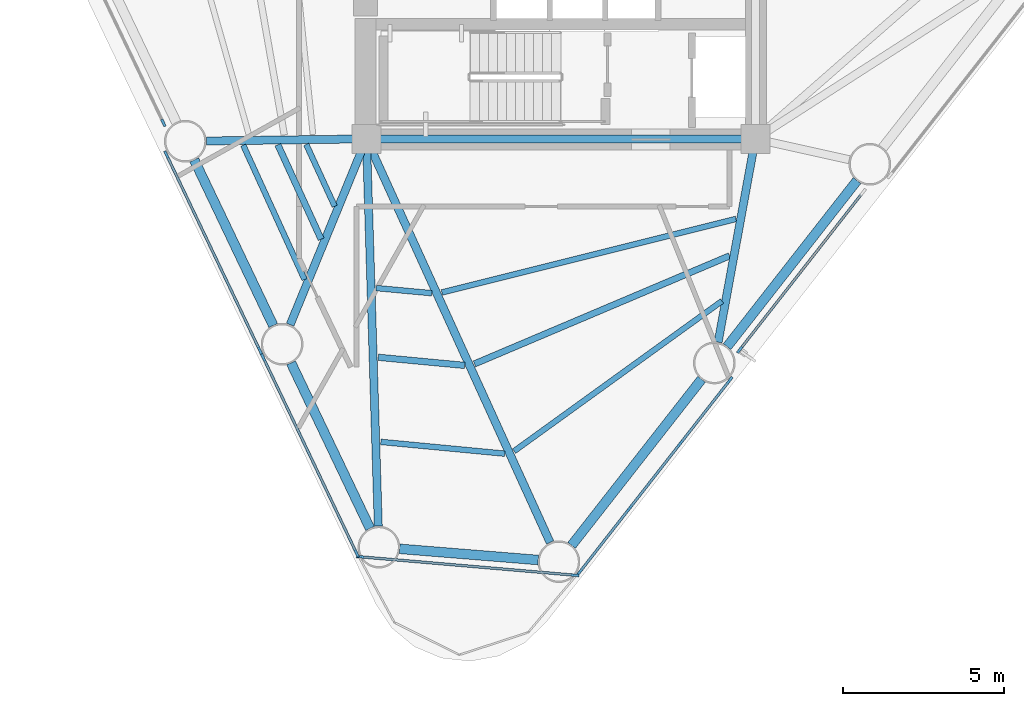
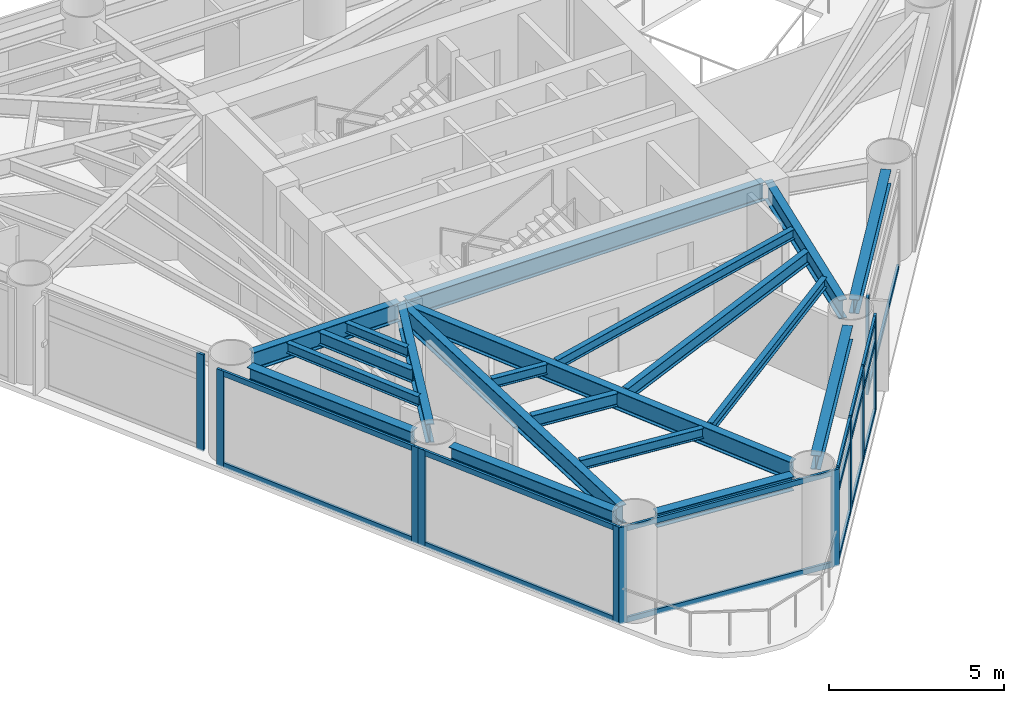
# One storey, part 2 of 10: 28 members, 20 beams, 6 elements without a shape of their own.
"""IFC4 building model written with IfcOpenShell, lengths in metres."""

import ifcopenshell
import ifcopenshell.guid

model = None  # the IFC model being written
_history = None  # IfcOwnerHistory: only IFC2X3 demands one
_inside = {}  # id of a spatial element -> (the spatial element, [elements in it])
_under = {}  # id of a project, library or spatial element -> (it, [spatial elements below it])
_declared = {}  # id of a project -> (the project, [libraries it declares])
_typed = {}  # id of a type object -> (the type object, [elements of that type])
_made_of = {}  # id of a material, layer set ... -> (it, [elements and type objects made of it])


def new_model(schema):
    """Start an empty IFC model of exactly this schema.

    Asked for "IFC4X3", IfcOpenShell would pick the latest addendum, in which some entities
    have other attributes; the version numbers below select the first issue.
    IFC2X3 requires an IfcOwnerHistory on every rooted entity: one is made here for all.
    """
    global model, _history
    if schema == "IFC4X3":
        model = ifcopenshell.file(schema_version=(4, 3, 0, 0))
    else:
        model = ifcopenshell.file(schema=schema)
    _inside.clear()
    _under.clear()
    _declared.clear()
    _typed.clear()
    _made_of.clear()
    _history = None
    if model.schema == "IFC2X3":
        org = make("IfcOrganization", Name="unknown")
        user = make(
            "IfcPersonAndOrganization",
            ThePerson=make("IfcPerson", FamilyName="unknown"),
            TheOrganization=org,
        )
        app = make(
            "IfcApplication",
            ApplicationDeveloper=org,
            Version="unknown",
            ApplicationFullName="unknown",
            ApplicationIdentifier="unknown",
        )
        _history = make(
            "IfcOwnerHistory",
            OwningUser=user,
            OwningApplication=app,
            ChangeAction="ADDED",
            CreationDate=0,
        )
    return model


def make(cls, **values):
    """One entity of the class cls with the attributes given. An attribute that is None is left unset."""
    return model.create_entity(
        cls, **{name: value for name, value in values.items() if value is not None}
    )


def rooted(cls, **values):
    """An entity with a GlobalId (a new one), such as an element, a storey or a relation."""
    return make(cls, GlobalId=ifcopenshell.guid.new(), OwnerHistory=_history, **values)


def si_unit(unit_type, name, prefix=None):
    """IfcSIUnit, for example si_unit("LENGTHUNIT", "METRE", prefix="MILLI")."""
    return make("IfcSIUnit", UnitType=unit_type, Prefix=prefix, Name=name)


def assignment(units):
    """IfcUnitAssignment: the units of a project."""
    return None if units is None else make("IfcUnitAssignment", Units=units)


def point(xyz):
    """IfcCartesianPoint."""
    return None if xyz is None else make("IfcCartesianPoint", Coordinates=xyz)


def direction(xyz):
    """IfcDirection."""
    return None if xyz is None else make("IfcDirection", DirectionRatios=xyz)


def frame(location, z_axis=None, x_axis=None):
    """IfcAxis2Placement3D, a coordinate frame: its origin and axes. An axis left out is left unset."""
    return make(
        "IfcAxis2Placement3D",
        Location=point(location),
        Axis=direction(z_axis),
        RefDirection=direction(x_axis),
    )


def frame_2d(location, x_axis=None):
    """IfcAxis2Placement2D, a coordinate frame in the plane: its origin and x axis."""
    return make(
        "IfcAxis2Placement2D", Location=point(location), RefDirection=direction(x_axis)
    )


def origin():
    """The frame at (0, 0, 0) with its axes left unset."""
    return frame((0.0, 0.0, 0.0))


def origin_2d():
    """The frame at (0, 0) in the plane with its x axis left unset."""
    return frame_2d((0.0, 0.0))


def place(relative_to, where):
    """IfcLocalPlacement: puts the frame where relative to a parent placement (None: the world)."""
    return make(
        "IfcLocalPlacement", PlacementRelTo=relative_to, RelativePlacement=where
    )


def context(
    kind, dimensions, precision=None, world=None, true_north=None, identifier=None
):
    """IfcGeometricRepresentationContext, for example the 3D "Model" context."""
    return make(
        "IfcGeometricRepresentationContext",
        ContextIdentifier=identifier,
        ContextType=kind,
        CoordinateSpaceDimension=dimensions,
        Precision=precision,
        WorldCoordinateSystem=world,
        TrueNorth=true_north,
    )


def subcontext(parent, identifier, kind, view, scale=None):
    """IfcGeometricRepresentationSubContext, for example "Body" below "Model"."""
    return make(
        "IfcGeometricRepresentationSubContext",
        ContextIdentifier=identifier,
        ContextType=kind,
        ParentContext=parent,
        TargetScale=scale,
        TargetView=view,
    )


def project(units=None, contexts=None):
    """IfcProject with its units and contexts."""
    return rooted(
        "IfcProject",
        Name="project",
        RepresentationContexts=contexts,
        UnitsInContext=assignment(units),
    )


def spatial(cls, under=None, at=None, **own):
    """A site, building, storey or space (cls), placed at a placement, below another one or the project."""
    s = rooted(cls, ObjectPlacement=at, **own)
    if under is not None:
        _under.setdefault(under.id(), (under, []))[1].append(s)
    return s


def profile(cls, at=None, kind="AREA", **sizes):
    """A parametric profile (cls). Its sizes go by their IFC names, for example OverallWidth=200.0."""
    return make(cls, ProfileType=kind, Position=at, **sizes)


def rectangle(**sizes):
    """IfcRectangleProfileDef."""
    return profile("IfcRectangleProfileDef", **sizes)


def i_section(**sizes):
    """IfcIShapeProfileDef."""
    return profile("IfcIShapeProfileDef", **sizes)


def extrude(swept, where, along, depth):
    """IfcExtrudedAreaSolid: the profile swept, set in the frame where, extruded along a direction by depth."""
    return make(
        "IfcExtrudedAreaSolid",
        SweptArea=swept,
        Position=where,
        ExtrudedDirection=direction(along),
        Depth=depth,
    )


def shape(context_of_items, identifier, shape_type, items):
    """IfcShapeRepresentation: the items that make up one representation, for example the "Body"."""
    return make(
        "IfcShapeRepresentation",
        ContextOfItems=context_of_items,
        RepresentationIdentifier=identifier,
        RepresentationType=shape_type,
        Items=items,
    )


def source(mapping_origin, context_of_items, identifier, shape_type, items):
    """IfcRepresentationMap: a shape defined once, which mapped items show again and again."""
    return make(
        "IfcRepresentationMap",
        MappingOrigin=mapping_origin,
        MappedRepresentation=shape(context_of_items, identifier, shape_type, items),
    )


def transform(
    local_origin,
    x_axis=None,
    y_axis=None,
    z_axis=None,
    scale=None,
    scale2=None,
    scale3=None,
    uniform=True,
):
    """IfcCartesianTransformationOperator3D, or its non-uniform kind. x_axis, y_axis, z_axis: its Axis1, 2, 3."""
    if uniform:
        return make(
            "IfcCartesianTransformationOperator3D",
            Axis1=direction(x_axis),
            Axis2=direction(y_axis),
            LocalOrigin=point(local_origin),
            Scale=scale,
            Axis3=direction(z_axis),
        )
    return make(
        "IfcCartesianTransformationOperator3DnonUniform",
        Axis1=direction(x_axis),
        Axis2=direction(y_axis),
        LocalOrigin=point(local_origin),
        Scale=scale,
        Axis3=direction(z_axis),
        Scale2=scale2,
        Scale3=scale3,
    )


def mapped(mapping_source, mapping_target):
    """IfcMappedItem: shows the shape of a source again, moved by a transform."""
    return make(
        "IfcMappedItem", MappingSource=mapping_source, MappingTarget=mapping_target
    )


def material(Name=None, Category=None):
    """IfcMaterial."""
    return make("IfcMaterial", Name=Name, Category=Category)


def layer(
    of_material, thickness, ventilated=None, Name=None, Category=None, Priority=None
):
    """IfcMaterialLayer: one layer of a wall or slab, of a material (None: an air gap)."""
    return make(
        "IfcMaterialLayer",
        Material=of_material,
        LayerThickness=thickness,
        IsVentilated=ventilated,
        Name=Name,
        Category=Category,
        Priority=Priority,
    )


def layer_set(layers, Name=None):
    """IfcMaterialLayerSet."""
    return make("IfcMaterialLayerSet", MaterialLayers=layers, LayerSetName=Name)


def material_profile(
    of_material, cross_section, Name=None, Category=None, Priority=None
):
    """IfcMaterialProfile: a cross section and its material."""
    return make(
        "IfcMaterialProfile",
        Name=Name,
        Material=of_material,
        Profile=cross_section,
        Priority=Priority,
        Category=Category,
    )


def profile_set(profiles, Name=None, composite=None):
    """IfcMaterialProfileSet."""
    return make(
        "IfcMaterialProfileSet",
        Name=Name,
        MaterialProfiles=profiles,
        CompositeProfile=composite,
    )


def made_of(thing, what):
    """Note that an element or type object is made of a material, layer set ...; save() writes the relation."""
    if what is not None:
        _made_of.setdefault(what.id(), (what, []))[1].append(thing)
    return thing


def type_object(cls, material=None, **own):
    """A type object (cls), such as IfcWallType, which elements share."""
    return made_of(rooted(cls, **own), material)


def element(
    cls,
    number,
    at=None,
    inside=None,
    cuts=None,
    type_object=None,
    material=None,
    context=None,
    identifier="Body",
    shape_type=None,
    held_by="IfcProductDefinitionShape",
    body=None,
    shapes=None,
    **own,
):
    """One element of the class cls, such as IfcWall. Its Tag is "e" and its number.

    at: its placement. inside: the storey or other place that contains it. cuts: it is an
    opening in that element (IfcRelVoidsElement). A single representation is given by context,
    identifier, shape_type and body (its items); several are given by shapes. held_by: the class
    of the entity that holds the representations. save() writes the other relations.
    """
    e = rooted(cls, Tag="e%d" % number, ObjectPlacement=at, **own)
    if body is not None:
        shapes = [shape(context, identifier, shape_type, body)]
    if shapes is not None:
        e.Representation = make(held_by, Representations=shapes)
    if inside is not None:
        _inside.setdefault(inside.id(), (inside, []))[1].append(e)
    if cuts is not None:
        rooted(
            "IfcRelVoidsElement", RelatingBuildingElement=cuts, RelatedOpeningElement=e
        )
    if type_object is not None:
        _typed.setdefault(type_object.id(), (type_object, []))[1].append(e)
    return made_of(e, material)


def aggregate(whole, parts):
    """IfcRelAggregates: a whole, such as a stair, and the parts it consists of."""
    return rooted("IfcRelAggregates", RelatingObject=whole, RelatedObjects=parts)


def save(model, path):
    """Write the relations noted so far, then the file.

    IfcRelAggregates (storeys below a building ...), IfcRelContainedInSpatialStructure (elements
    in a storey), IfcRelDefinesByType, IfcRelAssociatesMaterial and IfcRelDeclares: one each for
    every whole, place, type object, material and project.
    """
    for whole, parts in _under.values():
        aggregate(whole, parts)
    for where, things in _inside.values():
        rooted(
            "IfcRelContainedInSpatialStructure",
            RelatedElements=things,
            RelatingStructure=where,
        )
    for kind, things in _typed.values():
        rooted("IfcRelDefinesByType", RelatedObjects=things, RelatingType=kind)
    for what, things in _made_of.values():
        rooted("IfcRelAssociatesMaterial", RelatedObjects=things, RelatingMaterial=what)
    for by, libraries in _declared.values():
        rooted("IfcRelDeclares", RelatingContext=by, RelatedDefinitions=libraries)
    model.write(path)


model = new_model("IFC4")

# Units and contexts
model_context = context("Model", 3, precision=1e-05, world=origin(), true_north=direction((0.0, 1.0)))
body_context = subcontext(model_context, "Body", "Model", "MODEL_VIEW")
ifc_project = project(units=[si_unit("LENGTHUNIT", "METRE"), si_unit("AREAUNIT", "SQUARE_METRE"), si_unit("VOLUMEUNIT", "CUBIC_METRE"), si_unit("PLANEANGLEUNIT", "RADIAN"), si_unit("MASSUNIT", "GRAM", prefix="KILO")], contexts=[model_context])

# Site, building, storey
site_placement = place(None, origin())
site = spatial("IfcSite", under=ifc_project, at=site_placement, CompositionType="ELEMENT")
building_placement = place(site_placement, origin())
building = spatial("IfcBuilding", under=site, at=building_placement, Name="Yunling Apex Tower", CompositionType="ELEMENT")
storey_placement = place(building_placement, frame((0.0, 0.0, 143.300048828125)))
storey = spatial("IfcBuildingStorey", under=building, at=storey_placement, Name="L35", CompositionType="ELEMENT", Elevation=143.300048828125)

# Beams
ifc_material_1 = material(Name="Steel Q355B", Category="steel")
ifc_material_profile_1 = material_profile(ifc_material_1, i_section(OverallWidth=0.25, OverallDepth=0.64990234375, WebThickness=0.011962890625, FlangeThickness=0.02001953125, FilletRadius=0.02392578125, at=origin_2d()))
ifc_profile_set_1 = profile_set([ifc_material_profile_1], Name="Steel Q355B")
beam_type_1 = type_object("IfcBeamType", Name="BG-PRI-4", PredefinedType="USERDEFINED", material=ifc_profile_set_1)
shared_shape_1 = source(origin(), body_context, "Body", "SweptSolid", [
    extrude(i_section(OverallWidth=0.25, OverallDepth=0.64990234375, WebThickness=0.011962890625, FlangeThickness=0.02001953125, FilletRadius=0.02392578125, at=origin_2d()), origin(), (0.0, 0.0, 1.0), 11.7998046875),
])
beam_1_placement = place(storey_placement, frame((-5.89990234375, -5.5, 2.945068359375), z_axis=(1.0, 0.0, 0.0), x_axis=(0.0, 1.0, 0.0)))
element("IfcBeam", 1, at=beam_1_placement, inside=storey, type_object=beam_type_1, Name="L35 Core Ring Tie Beam 1", ObjectType="GIRDER", PredefinedType="USERDEFINED", context=body_context, shape_type="MappedRepresentation", body=[
    mapped(shared_shape_1, transform((0.0, 0.0, 0.0), scale=1.0)),
])
ifc_material_profile_2 = material_profile(ifc_material_1, i_section(OverallWidth=0.300048828125, OverallDepth=0.489990234375, WebThickness=0.010986328125, FlangeThickness=0.01806640625, FilletRadius=0.02197265625, at=origin_2d()))
ifc_profile_set_2 = profile_set([ifc_material_profile_2], Name="Steel Q355B")
beam_type_2 = type_object("IfcBeamType", Name="BP-SPN-2", PredefinedType="SPANDREL", material=ifc_profile_set_2)
shared_shape_2 = source(origin(), body_context, "Body", "SweptSolid", [
    extrude(i_section(OverallWidth=0.300048828125, OverallDepth=0.489990234375, WebThickness=0.010986328125, FlangeThickness=0.01806640625, FilletRadius=0.02197265625, at=origin_2d()), origin(), (0.0, 0.0, 1.0), 6.562255859375),
])
for number, where, z_axis, x_axis, name in (
    (2, (0.332763671875, -18.147216796875, 3.02490234375), (0.616214963059, 0.787578008392, 0.0), (-0.787578008392, 0.616214963059, 0.0), "L35 Perimeter Spandrel Beam 1"),
    (3, (5.170166015625, -11.964599609375, 3.02490234375), (0.616214963059, 0.787578008392, 0.0), (-0.787578008392, 0.616214963059, 0.0), "L35 Perimeter Spandrel Beam 2"),
):
    element("IfcBeam", number, at=place(storey_placement, frame(where, z_axis=z_axis, x_axis=x_axis)), inside=storey, type_object=beam_type_2, Name=name, PredefinedType="SPANDREL", context=body_context, shape_type="MappedRepresentation", body=[
        mapped(shared_shape_2, transform((0.0, 0.0, 0.0), scale=1.0)),
    ])
shared_shape_3 = source(origin(), body_context, "Body", "SweptSolid", [
    extrude(i_section(OverallWidth=0.300048828125, OverallDepth=0.489990234375, WebThickness=0.010986328125, FlangeThickness=0.01806640625, FilletRadius=0.02197265625, at=origin_2d()), origin(), (0.0, 0.0, 1.0), 5.707763671875),
])
for number, where, z_axis, x_axis, name in (
    (4, (-11.407958984375, -6.15478515625, 3.02490234375), (0.430522919645, -0.902579645051, 0.0), (0.902579645051, 0.430522919645, 0.0), "L35 Perimeter Spandrel Beam 13"),
    (5, (-8.396240234375, -12.468994140625, 3.02490234375), (0.430522919645, -0.902579645051, 0.0), (0.902579645051, 0.430522919645, 0.0), "L35 Perimeter Spandrel Beam 14"),
):
    element("IfcBeam", number, at=place(storey_placement, frame(where, z_axis=z_axis, x_axis=x_axis)), inside=storey, type_object=beam_type_2, Name=name, PredefinedType="SPANDREL", context=body_context, shape_type="MappedRepresentation", body=[
        mapped(shared_shape_3, transform((0.0, 0.0, 0.0), scale=1.0)),
    ])
shared_shape_4 = source(origin(), body_context, "Body", "SweptSolid", [
    extrude(i_section(OverallWidth=0.300048828125, OverallDepth=0.489990234375, WebThickness=0.010986328125, FlangeThickness=0.01806640625, FilletRadius=0.02197265625, at=origin_2d()), origin(), (0.0, 0.0, 1.0), 4.328369140625),
])
beam_2_placement = place(storey_placement, frame((-5.02001953125, -18.25390625, 3.02490234375), z_axis=(0.996750747621, -0.08054779399, 0.0), x_axis=(0.08054779399, 0.996750747621, 0.0)))
element("IfcBeam", 6, at=beam_2_placement, inside=storey, type_object=beam_type_2, Name="L35 Perimeter Spandrel Beam 15", PredefinedType="SPANDREL", context=body_context, shape_type="MappedRepresentation", body=[
    mapped(shared_shape_4, transform((0.0, 0.0, 0.0), scale=1.0)),
])
shared_shape_5 = source(origin(), body_context, "Body", "SweptSolid", [
    extrude(i_section(OverallWidth=0.25, OverallDepth=0.64990234375, WebThickness=0.011962890625, FlangeThickness=0.02001953125, FilletRadius=0.02392578125, at=origin_2d()), origin(), (0.0, 0.0, 1.0), 13.714599609375),
])
beam_3_placement = place(storey_placement, frame((-0.33642578125, -18.0556640625, 2.945068359375), z_axis=(-0.414187834577, 0.910191429145, 0.0), x_axis=(-0.910191429145, -0.414187834577, 0.0)))
element("IfcBeam", 7, at=beam_3_placement, inside=storey, type_object=beam_type_1, Name="L35 Radial Primary Girder R01", ObjectType="GIRDER", PredefinedType="USERDEFINED", context=body_context, shape_type="MappedRepresentation", body=[
    mapped(shared_shape_5, transform((0.0, 0.0, 0.0), scale=1.0)),
])
shared_shape_6 = source(origin(), body_context, "Body", "SweptSolid", [
    extrude(i_section(OverallWidth=0.25, OverallDepth=0.64990234375, WebThickness=0.011962890625, FlangeThickness=0.02001953125, FilletRadius=0.02392578125, at=origin_2d()), origin(), (0.0, 0.0, 1.0), 6.349853515625),
])
beam_4_placement = place(storey_placement, frame((4.891845703125, -11.82470703125, 2.945068359375), z_axis=(0.18012699938, 0.983643362248, 0.0), x_axis=(-0.983643362248, 0.18012699938, 0.0)))
element("IfcBeam", 8, at=beam_4_placement, inside=storey, type_object=beam_type_1, Name="L35 Radial Primary Girder R02", ObjectType="GIRDER", PredefinedType="USERDEFINED", context=body_context, shape_type="MappedRepresentation", body=[
    mapped(shared_shape_6, transform((0.0, 0.0, 0.0), scale=1.0)),
])
shared_shape_7 = source(origin(), body_context, "Body", "SweptSolid", [
    extrude(i_section(OverallWidth=0.25, OverallDepth=0.64990234375, WebThickness=0.011962890625, FlangeThickness=0.02001953125, FilletRadius=0.02392578125, at=origin_2d()), origin(), (0.0, 0.0, 1.0), 4.89794921875),
])
beam_5_placement = place(storey_placement, frame((-11.02734375, -5.56494140625, 2.945068359375), z_axis=(0.999914718433, 0.0130597037, 0.0), x_axis=(-0.0130597037, 0.999914718433, 0.0)))
element("IfcBeam", 9, at=beam_5_placement, inside=storey, type_object=beam_type_1, Name="L35 Radial Primary Girder R13", ObjectType="GIRDER", PredefinedType="USERDEFINED", context=body_context, shape_type="MappedRepresentation", body=[
    mapped(shared_shape_7, transform((0.0, 0.0, 0.0), scale=1.0)),
])
shared_shape_8 = source(origin(), body_context, "Body", "SweptSolid", [
    extrude(i_section(OverallWidth=0.25, OverallDepth=0.64990234375, WebThickness=0.011962890625, FlangeThickness=0.02001953125, FilletRadius=0.02392578125, at=origin_2d()), origin(), (0.0, 0.0, 1.0), 6.16748046875),
])
beam_6_placement = place(storey_placement, frame((-8.423583984375, -11.279052734375, 2.945068359375), z_axis=(0.379933370098, 0.925013856267, 0.0), x_axis=(-0.925013856267, 0.379933370098, 0.0)))
element("IfcBeam", 10, at=beam_6_placement, inside=storey, type_object=beam_type_1, Name="L35 Radial Primary Girder R14", ObjectType="GIRDER", PredefinedType="USERDEFINED", context=body_context, shape_type="MappedRepresentation", body=[
    mapped(shared_shape_8, transform((0.0, 0.0, 0.0), scale=1.0)),
])
shared_shape_9 = source(origin(), body_context, "Body", "SweptSolid", [
    extrude(i_section(OverallWidth=0.25, OverallDepth=0.64990234375, WebThickness=0.011962890625, FlangeThickness=0.02001953125, FilletRadius=0.02392578125, at=origin_2d()), origin(), (0.0, 0.0, 1.0), 11.9697265625),
])
beam_7_placement = place(storey_placement, frame((-5.681884765625, -17.544189453125, 2.945068359375), z_axis=(-0.030554037514, 0.999533116406, 0.0), x_axis=(-0.999533116406, -0.030554037514, 0.0)))
element("IfcBeam", 11, at=beam_7_placement, inside=storey, type_object=beam_type_1, Name="L35 Radial Primary Girder R15", ObjectType="GIRDER", PredefinedType="USERDEFINED", context=body_context, shape_type="MappedRepresentation", body=[
    mapped(shared_shape_9, transform((0.0, 0.0, 0.0), scale=1.0)),
])
ifc_material_profile_3 = material_profile(ifc_material_1, i_section(OverallWidth=0.199951171875, OverallDepth=0.449951171875, WebThickness=0.009033203125, FlangeThickness=0.013916015625, FilletRadius=0.01806640625, at=origin_2d()))
ifc_profile_set_3 = profile_set([ifc_material_profile_3], Name="Steel Q355B")
beam_type_3 = type_object("IfcBeamType", Name="BS-SEC-3", PredefinedType="BEAM", material=ifc_profile_set_3)
shared_shape_10 = source(origin(), body_context, "Body", "SweptSolid", [
    extrude(i_section(OverallWidth=0.199951171875, OverallDepth=0.449951171875, WebThickness=0.009033203125, FlangeThickness=0.013916015625, FilletRadius=0.01806640625, at=origin_2d()), origin(), (0.0, 0.0, 1.0), 8.618896484375),
])
beam_8_placement = place(storey_placement, frame((-2.6884765625, -12.500732421875, 3.044921875), z_axis=(0.920793969751, 0.390049311332, 0.0), x_axis=(-0.390049311332, 0.920793969751, 0.0)))
element("IfcBeam", 12, at=beam_8_placement, inside=storey, type_object=beam_type_3, Name="L35 Composite Floor Beam BS-1", PredefinedType="BEAM", context=body_context, shape_type="MappedRepresentation", body=[
    mapped(shared_shape_10, transform((0.0, 0.0, 0.0), scale=1.0)),
])
ifc_material_profile_4 = material_profile(ifc_material_1, i_section(OverallWidth=0.175048828125, OverallDepth=0.35009765625, WebThickness=0.007080078125, FlangeThickness=0.010986328125, FilletRadius=0.013916015625, at=origin_2d()))
ifc_profile_set_4 = profile_set([ifc_material_profile_4], Name="Steel Q355B")
beam_type_4 = type_object("IfcBeamType", Name="BJ-JST-1", PredefinedType="JOIST", material=ifc_profile_set_4)
shared_shape_11 = source(origin(), body_context, "Body", "SweptSolid", [
    extrude(i_section(OverallWidth=0.175048828125, OverallDepth=0.35009765625, WebThickness=0.007080078125, FlangeThickness=0.010986328125, FilletRadius=0.013916015625, at=origin_2d()), origin(), (0.0, 0.0, 1.0), 7.98046875),
])
beam_9_placement = place(storey_placement, frame((-1.45654296875, -15.2158203125, 3.094970703125), z_axis=(0.81075666384, 0.585383320602, 0.0), x_axis=(-0.585383320602, 0.81075666384, 0.0)))
element("IfcBeam", 13, at=beam_9_placement, inside=storey, type_object=beam_type_4, Name="L35 Composite Floor Joist BJ1-1", PredefinedType="JOIST", context=body_context, shape_type="MappedRepresentation", body=[
    mapped(shared_shape_11, transform((0.0, 0.0, 0.0), scale=1.0)),
])
shared_shape_12 = source(origin(), body_context, "Body", "SweptSolid", [
    extrude(i_section(OverallWidth=0.175048828125, OverallDepth=0.35009765625, WebThickness=0.007080078125, FlangeThickness=0.010986328125, FilletRadius=0.013916015625, at=origin_2d()), origin(), (0.0, 0.0, 1.0), 9.430419921875),
])
beam_10_placement = place(storey_placement, frame((-3.703125, -10.277587890625, 3.094970703125), z_axis=(0.970157726952, 0.242474709682, 0.0), x_axis=(-0.242474709682, 0.970157726952, 0.0)))
element("IfcBeam", 14, at=beam_10_placement, inside=storey, type_object=beam_type_4, Name="L35 Composite Floor Joist BJ3-1", PredefinedType="JOIST", context=body_context, shape_type="MappedRepresentation", body=[
    mapped(shared_shape_12, transform((0.0, 0.0, 0.0), scale=1.0)),
])
shared_shape_13 = source(origin(), body_context, "Body", "SweptSolid", [
    extrude(i_section(OverallWidth=0.199951171875, OverallDepth=0.449951171875, WebThickness=0.009033203125, FlangeThickness=0.013916015625, FilletRadius=0.01806640625, at=origin_2d()), origin(), (0.0, 0.0, 1.0), 3.234619140625),
])
beam_11_placement = place(storey_placement, frame((-8.805908203125, -5.682373046875, 3.044921875), z_axis=(0.416337611841, -0.909210092864, 0.0), x_axis=(0.909210092864, 0.416337611841, 0.0)))
element("IfcBeam", 15, at=beam_11_placement, inside=storey, type_object=beam_type_3, Name="L35 Composite Floor Beam BS-13", PredefinedType="BEAM", context=body_context, shape_type="MappedRepresentation", body=[
    mapped(shared_shape_13, transform((0.0, 0.0, 0.0), scale=1.0)),
])
shared_shape_14 = source(origin(), body_context, "Body", "SweptSolid", [
    extrude(i_section(OverallWidth=0.175048828125, OverallDepth=0.35009765625, WebThickness=0.007080078125, FlangeThickness=0.010986328125, FilletRadius=0.013916015625, at=origin_2d()), origin(), (0.0, 0.0, 1.0), 4.596923828125),
])
beam_12_placement = place(storey_placement, frame((-9.883544921875, -5.696533203125, 3.094970703125), z_axis=(0.415258909569, -0.909703269217, 0.0), x_axis=(0.909703269217, 0.415258909569, 0.0)))
element("IfcBeam", 16, at=beam_12_placement, inside=storey, type_object=beam_type_4, Name="L35 Composite Floor Joist BJ1-13", PredefinedType="JOIST", context=body_context, shape_type="MappedRepresentation", body=[
    mapped(shared_shape_14, transform((0.0, 0.0, 0.0), scale=1.0)),
])
shared_shape_15 = source(origin(), body_context, "Body", "SweptSolid", [
    extrude(i_section(OverallWidth=0.175048828125, OverallDepth=0.35009765625, WebThickness=0.007080078125, FlangeThickness=0.010986328125, FilletRadius=0.013916015625, at=origin_2d()), origin(), (0.0, 0.0, 1.0), 2.1201171875),
])
beam_13_placement = place(storey_placement, frame((-7.924072265625, -5.670654296875, 3.094970703125), z_axis=(0.418101376265, -0.908400373825, 0.0), x_axis=(0.908400373825, 0.418101376265, 0.0)))
element("IfcBeam", 17, at=beam_13_placement, inside=storey, type_object=beam_type_4, Name="L35 Composite Floor Joist BJ3-13", PredefinedType="JOIST", context=body_context, shape_type="MappedRepresentation", body=[
    mapped(shared_shape_15, transform((0.0, 0.0, 0.0), scale=1.0)),
])
shared_shape_16 = source(origin(), body_context, "Body", "SweptSolid", [
    extrude(i_section(OverallWidth=0.199951171875, OverallDepth=0.449951171875, WebThickness=0.009033203125, FlangeThickness=0.013916015625, FilletRadius=0.01806640625, at=origin_2d()), origin(), (0.0, 0.0, 1.0), 2.700439453125),
])
beam_14_placement = place(storey_placement, frame((-5.68359375, -12.294921875, 3.044921875), z_axis=(0.995595280091, -0.09375520391, 0.0), x_axis=(0.09375520391, 0.995595280091, 0.0)))
element("IfcBeam", 18, at=beam_14_placement, inside=storey, type_object=beam_type_3, Name="L35 Composite Floor Beam BS-15", PredefinedType="BEAM", context=body_context, shape_type="MappedRepresentation", body=[
    mapped(shared_shape_16, transform((0.0, 0.0, 0.0), scale=1.0)),
])
shared_shape_17 = source(origin(), body_context, "Body", "SweptSolid", [
    extrude(i_section(OverallWidth=0.175048828125, OverallDepth=0.35009765625, WebThickness=0.007080078125, FlangeThickness=0.010986328125, FilletRadius=0.013916015625, at=origin_2d()), origin(), (0.0, 0.0, 1.0), 3.874755859375),
])
beam_15_placement = place(storey_placement, frame((-5.60302734375, -14.92724609375, 3.094970703125), z_axis=(0.995505944035, -0.094699078094, 0.0), x_axis=(0.094699078094, 0.995505944035, 0.0)))
element("IfcBeam", 19, at=beam_15_placement, inside=storey, type_object=beam_type_4, Name="L35 Composite Floor Joist BJ1-15", PredefinedType="JOIST", context=body_context, shape_type="MappedRepresentation", body=[
    mapped(shared_shape_17, transform((0.0, 0.0, 0.0), scale=1.0)),
])
shared_shape_18 = source(origin(), body_context, "Body", "SweptSolid", [
    extrude(i_section(OverallWidth=0.175048828125, OverallDepth=0.35009765625, WebThickness=0.007080078125, FlangeThickness=0.010986328125, FilletRadius=0.013916015625, at=origin_2d()), origin(), (0.0, 0.0, 1.0), 1.739013671875),
])
beam_16_placement = place(storey_placement, frame((-5.749267578125, -10.14111328125, 3.094970703125), z_axis=(0.995737570839, -0.092231719166, 0.0), x_axis=(0.092231719166, 0.995737570839, 0.0)))
element("IfcBeam", 20, at=beam_16_placement, inside=storey, type_object=beam_type_4, Name="L35 Composite Floor Joist BJ3-15", PredefinedType="JOIST", context=body_context, shape_type="MappedRepresentation", body=[
    mapped(shared_shape_18, transform((0.0, 0.0, 0.0), scale=1.0)),
])

# Curtain wall, members
ifc_material_2 = material(Name="Bronze anodised aluminium", Category="aluminium")
ifc_layer = layer(ifc_material_2, 0.239990234375)
ifc_layer_set = layer_set([ifc_layer], Name="Bronze anodised aluminium")
curtain_wall_type = type_object("IfcCurtainWallType", Name="CW-SYS-3", PredefinedType="NOTDEFINED", material=ifc_layer_set)
curtain_wall_1_placement = place(storey_placement, origin())
curtain_wall_1 = element("IfcCurtainWall", 21, at=curtain_wall_1_placement, inside=storey, type_object=curtain_wall_type, Name="CW-L35-F1-B1", PredefinedType="NOTDEFINED")
ifc_material_profile_5 = material_profile(ifc_material_2, rectangle(XDim=0.080078125, YDim=0.239990234375, at=origin_2d()))
ifc_profile_set_5 = profile_set([ifc_material_profile_5], Name="Bronze anodised aluminium")
member_type_1 = type_object("IfcMemberType", Name="CW-MUL-3", PredefinedType="MULLION", material=ifc_profile_set_5)
shared_shape_19 = source(origin(), body_context, "Body", "SweptSolid", [
    extrude(rectangle(XDim=0.080078125, YDim=0.239990234375, at=origin_2d()), origin(), (0.0, 0.0, 1.0), 3.3701171875),
])
member_1_placement = place(storey_placement, frame((0.569091796875, -18.99755859375, -0.050048828125), z_axis=(0.0, 0.0, 1.0), x_axis=(-0.787583748686, 0.616207626377, 0.0)))
member_1 = element("IfcMember", 22, at=member_1_placement, type_object=member_type_1, Name="CW-SYS-3 mullion 1", PredefinedType="MULLION", context=body_context, shape_type="MappedRepresentation", body=[
    mapped(shared_shape_19, transform((0.0, 0.0, 0.0), scale=1.0)),
])
member_2_placement = place(storey_placement, frame((2.1240234375, -17.01025390625, -0.050048828125), z_axis=(0.0, 0.0, 1.0), x_axis=(-0.787583748686, 0.616207626377, 0.0)))
member_2 = element("IfcMember", 23, at=member_2_placement, type_object=member_type_1, Name="CW-SYS-3 mullion 2", PredefinedType="MULLION", context=body_context, shape_type="MappedRepresentation", body=[
    mapped(shared_shape_19, transform((0.0, 0.0, 0.0), scale=1.0)),
])
member_3_placement = place(storey_placement, frame((3.70361328125, -14.9912109375, -0.050048828125), z_axis=(0.0, 0.0, 1.0), x_axis=(-0.787583748686, 0.616207626377, 0.0)))
member_3 = element("IfcMember", 24, at=member_3_placement, type_object=member_type_1, Name="CW-SYS-3 mullion 3", PredefinedType="MULLION", context=body_context, shape_type="MappedRepresentation", body=[
    mapped(shared_shape_19, transform((0.0, 0.0, 0.0), scale=1.0)),
])
member_4_placement = place(storey_placement, frame((5.258544921875, -13.00390625, -0.050048828125), z_axis=(0.0, 0.0, 1.0), x_axis=(-0.787583748686, 0.616207626377, 0.0)))
member_4 = element("IfcMember", 25, at=member_4_placement, type_object=member_type_1, Name="CW-SYS-3 mullion 4", PredefinedType="MULLION", context=body_context, shape_type="MappedRepresentation", body=[
    mapped(shared_shape_19, transform((0.0, 0.0, 0.0), scale=1.0)),
])

# Curtain wall, member
curtain_wall_2_placement = place(storey_placement, origin())
curtain_wall_2 = element("IfcCurtainWall", 26, at=curtain_wall_2_placement, inside=storey, type_object=curtain_wall_type, Name="CW-L35-F1-B2", PredefinedType="NOTDEFINED")
member_5_placement = place(storey_placement, frame((5.56396484375, -12.06201171875, -0.050048828125), z_axis=(0.0, 0.0, 1.0), x_axis=(-0.787590269126, 0.616199292419, 0.0)))
member_5 = element("IfcMember", 27, at=member_5_placement, type_object=member_type_1, Name="CW-SYS-3 mullion 1", PredefinedType="MULLION", context=body_context, shape_type="MappedRepresentation", body=[
    mapped(shared_shape_19, transform((0.0, 0.0, 0.0), scale=1.0)),
])

curtain_wall_3_placement = place(storey_placement, origin())
curtain_wall_3 = element("IfcCurtainWall", 28, at=curtain_wall_3_placement, inside=storey, type_object=curtain_wall_type, Name="CW-L35-F3-B2", PredefinedType="NOTDEFINED")
member_6_placement = place(storey_placement, frame((-12.36767578125, -5.001708984375, -0.050048828125), z_axis=(0.0, 0.0, 1.0), x_axis=(0.902579794247, 0.430522606859, 0.0)))
member_6 = element("IfcMember", 29, at=member_6_placement, type_object=member_type_1, Name="CW-SYS-3 mullion 2", PredefinedType="MULLION", context=body_context, shape_type="MappedRepresentation", body=[
    mapped(shared_shape_19, transform((0.0, 0.0, 0.0), scale=1.0)),
])
aggregate(curtain_wall_3, [member_6])

# Curtain wall, members
curtain_wall_4_placement = place(storey_placement, origin())
curtain_wall_4 = element("IfcCurtainWall", 30, at=curtain_wall_4_placement, inside=storey, type_object=curtain_wall_type, Name="CW-L35-F3-B3", PredefinedType="NOTDEFINED")
member_7_placement = place(storey_placement, frame((-12.274169921875, -5.987548828125, -0.050048828125), z_axis=(0.0, 0.0, 1.0), x_axis=(0.902593449526, 0.430493977743, 0.0)))
member_7 = element("IfcMember", 31, at=member_7_placement, type_object=member_type_1, Name="CW-SYS-3 mullion 1", PredefinedType="MULLION", context=body_context, shape_type="MappedRepresentation", body=[
    mapped(shared_shape_19, transform((0.0, 0.0, 0.0), scale=1.0)),
])
member_8_placement = place(storey_placement, frame((-9.365966796875, -12.085205078125, -0.050048828125), z_axis=(0.0, 0.0, 1.0), x_axis=(0.902593449526, 0.430493977743, 0.0)))
member_8 = element("IfcMember", 32, at=member_8_placement, type_object=member_type_1, Name="CW-SYS-3 mullion 2", PredefinedType="MULLION", context=body_context, shape_type="MappedRepresentation", body=[
    mapped(shared_shape_19, transform((0.0, 0.0, 0.0), scale=1.0)),
])

curtain_wall_5_placement = place(storey_placement, origin())
curtain_wall_5 = element("IfcCurtainWall", 33, at=curtain_wall_5_placement, inside=storey, type_object=curtain_wall_type, Name="CW-L35-F3-B4", PredefinedType="NOTDEFINED")
member_9_placement = place(storey_placement, frame((-9.2626953125, -12.3017578125, -0.050048828125), z_axis=(0.0, 0.0, 1.0), x_axis=(0.902585053788, 0.430511580192, 0.0)))
member_9 = element("IfcMember", 34, at=member_9_placement, type_object=member_type_1, Name="CW-SYS-3 mullion 1", PredefinedType="MULLION", context=body_context, shape_type="MappedRepresentation", body=[
    mapped(shared_shape_19, transform((0.0, 0.0, 0.0), scale=1.0)),
])
member_10_placement = place(storey_placement, frame((-6.354248046875, -18.399169921875, -0.050048828125), z_axis=(0.0, 0.0, 1.0), x_axis=(0.902585053788, 0.430511580192, 0.0)))
member_10 = element("IfcMember", 35, at=member_10_placement, type_object=member_type_1, Name="CW-SYS-3 mullion 2", PredefinedType="MULLION", context=body_context, shape_type="MappedRepresentation", body=[
    mapped(shared_shape_19, transform((0.0, 0.0, 0.0), scale=1.0)),
])

curtain_wall_6_placement = place(storey_placement, origin())
curtain_wall_6 = element("IfcCurtainWall", 36, at=curtain_wall_6_placement, inside=storey, type_object=curtain_wall_type, Name="CW-L35-CRN3", PredefinedType="NOTDEFINED")
member_11_placement = place(storey_placement, frame((-6.24462890625, -18.50244140625, -0.050048828125), z_axis=(0.0, 0.0, 1.0), x_axis=(0.085550287883, 0.996333853808, 0.0)))
member_11 = element("IfcMember", 37, at=member_11_placement, type_object=member_type_1, Name="CW-SYS-3 mullion 1", PredefinedType="MULLION", context=body_context, shape_type="MappedRepresentation", body=[
    mapped(shared_shape_19, transform((0.0, 0.0, 0.0), scale=1.0)),
])
member_12_placement = place(storey_placement, frame((0.439697265625, -19.076171875, -0.050048828125), z_axis=(0.0, 0.0, 1.0), x_axis=(0.085550287883, 0.996333853808, 0.0)))
member_12 = element("IfcMember", 38, at=member_12_placement, type_object=member_type_1, Name="CW-SYS-3 mullion 2", PredefinedType="MULLION", context=body_context, shape_type="MappedRepresentation", body=[
    mapped(shared_shape_19, transform((0.0, 0.0, 0.0), scale=1.0)),
])

# Member
ifc_material_profile_6 = material_profile(ifc_material_2, rectangle(XDim=0.080078125, YDim=0.18505859375, at=origin_2d()))
ifc_profile_set_6 = profile_set([ifc_material_profile_6], Name="Bronze anodised aluminium")
member_type_2 = type_object("IfcMemberType", Name="CW-TRN-3", PredefinedType="USERDEFINED", material=ifc_profile_set_6)
shared_shape_20 = source(origin(), body_context, "Body", "SweptSolid", [
    extrude(rectangle(XDim=0.080078125, YDim=0.18505859375, at=origin_2d()), origin(), (0.0, 0.0, 1.0), 2.451416015625),
])
member_13_placement = place(storey_placement, frame((0.59130859375, -18.96923828125, 0.0400390625), z_axis=(0.616192781155, 0.787595363402, 0.0), x_axis=(-0.787595363402, 0.616192781155, 0.0)))
member_13 = element("IfcMember", 39, at=member_13_placement, type_object=member_type_2, Name="CW-SYS-3 transom 1.1", ObjectType="TRANSOM", PredefinedType="USERDEFINED", context=body_context, shape_type="MappedRepresentation", body=[
    mapped(shared_shape_20, transform((0.0, 0.0, 0.0), scale=1.0)),
])

member_14_placement = place(storey_placement, frame((0.59130859375, -18.96923828125, 2.485107421875), z_axis=(0.616192781155, 0.787595363402, 0.0), x_axis=(-0.787595363402, 0.616192781155, 0.0)))
member_14 = element("IfcMember", 40, at=member_14_placement, type_object=member_type_2, Name="CW-SYS-3 transom 1.2", ObjectType="TRANSOM", PredefinedType="USERDEFINED", context=body_context, shape_type="MappedRepresentation", body=[
    mapped(shared_shape_20, transform((0.0, 0.0, 0.0), scale=1.0)),
])

member_15_placement = place(storey_placement, frame((0.59130859375, -18.96923828125, 3.22998046875), z_axis=(0.616192781155, 0.787595363402, 0.0), x_axis=(-0.787595363402, 0.616192781155, 0.0)))
member_15 = element("IfcMember", 41, at=member_15_placement, type_object=member_type_2, Name="CW-SYS-3 transom 1.3", ObjectType="TRANSOM", PredefinedType="USERDEFINED", context=body_context, shape_type="MappedRepresentation", body=[
    mapped(shared_shape_20, transform((0.0, 0.0, 0.0), scale=1.0)),
])

member_16_placement = place(storey_placement, frame((3.725830078125, -14.962890625, 0.0400390625), z_axis=(0.616192781155, 0.787595363402, 0.0), x_axis=(-0.787595363402, 0.616192781155, 0.0)))
member_16 = element("IfcMember", 42, at=member_16_placement, type_object=member_type_2, Name="CW-SYS-3 transom 3.1", ObjectType="TRANSOM", PredefinedType="USERDEFINED", context=body_context, shape_type="MappedRepresentation", body=[
    mapped(shared_shape_20, transform((0.0, 0.0, 0.0), scale=1.0)),
])

member_17_placement = place(storey_placement, frame((3.725830078125, -14.962890625, 2.485107421875), z_axis=(0.616192781155, 0.787595363402, 0.0), x_axis=(-0.787595363402, 0.616192781155, 0.0)))
member_17 = element("IfcMember", 43, at=member_17_placement, type_object=member_type_2, Name="CW-SYS-3 transom 3.2", ObjectType="TRANSOM", PredefinedType="USERDEFINED", context=body_context, shape_type="MappedRepresentation", body=[
    mapped(shared_shape_20, transform((0.0, 0.0, 0.0), scale=1.0)),
])

member_18_placement = place(storey_placement, frame((3.725830078125, -14.962890625, 3.22998046875), z_axis=(0.616192781155, 0.787595363402, 0.0), x_axis=(-0.787595363402, 0.616192781155, 0.0)))
member_18 = element("IfcMember", 44, at=member_18_placement, type_object=member_type_2, Name="CW-SYS-3 transom 3.3", ObjectType="TRANSOM", PredefinedType="USERDEFINED", context=body_context, shape_type="MappedRepresentation", body=[
    mapped(shared_shape_20, transform((0.0, 0.0, 0.0), scale=1.0)),
])

shared_shape_21 = source(origin(), body_context, "Body", "SweptSolid", [
    extrude(rectangle(XDim=0.080078125, YDim=0.18505859375, at=origin_2d()), origin(), (0.0, 0.0, 1.0), 2.491455078125),
])
member_19_placement = place(storey_placement, frame((2.146240234375, -16.981689453125, 0.0400390625), z_axis=(0.616197277936, 0.787591845225, 0.0), x_axis=(-0.787591845225, 0.616197277936, 0.0)))
member_19 = element("IfcMember", 45, at=member_19_placement, type_object=member_type_2, Name="CW-SYS-3 transom 2.1", ObjectType="TRANSOM", PredefinedType="USERDEFINED", context=body_context, shape_type="MappedRepresentation", body=[
    mapped(shared_shape_21, transform((0.0, 0.0, 0.0), scale=1.0)),
])

member_20_placement = place(storey_placement, frame((2.146240234375, -16.981689453125, 2.485107421875), z_axis=(0.616197277936, 0.787591845225, 0.0), x_axis=(-0.787591845225, 0.616197277936, 0.0)))
member_20 = element("IfcMember", 46, at=member_20_placement, type_object=member_type_2, Name="CW-SYS-3 transom 2.2", ObjectType="TRANSOM", PredefinedType="USERDEFINED", context=body_context, shape_type="MappedRepresentation", body=[
    mapped(shared_shape_21, transform((0.0, 0.0, 0.0), scale=1.0)),
])

member_21_placement = place(storey_placement, frame((2.146240234375, -16.981689453125, 3.22998046875), z_axis=(0.616197277936, 0.787591845225, 0.0), x_axis=(-0.787591845225, 0.616197277936, 0.0)))
member_21 = element("IfcMember", 47, at=member_21_placement, type_object=member_type_2, Name="CW-SYS-3 transom 2.3", ObjectType="TRANSOM", PredefinedType="USERDEFINED", context=body_context, shape_type="MappedRepresentation", body=[
    mapped(shared_shape_21, transform((0.0, 0.0, 0.0), scale=1.0)),
])

aggregate(curtain_wall_1, [member_1, member_2, member_3, member_4, member_13, member_14, member_15, member_19, member_20, member_21, member_16, member_17, member_18])

shared_shape_22 = source(origin(), body_context, "Body", "SweptSolid", [
    extrude(rectangle(XDim=0.080078125, YDim=0.18505859375, at=origin_2d()), origin(), (0.0, 0.0, 1.0), 6.158203125),
])
member_22_placement = place(storey_placement, frame((5.5859375, -12.03369140625, 0.0400390625), z_axis=(0.616202427613, 0.787587816185, 0.0), x_axis=(-0.787587816185, 0.616202427613, 0.0)))
member_22 = element("IfcMember", 48, at=member_22_placement, type_object=member_type_2, Name="CW-SYS-3 transom 1.1", ObjectType="TRANSOM", PredefinedType="USERDEFINED", context=body_context, shape_type="MappedRepresentation", body=[
    mapped(shared_shape_22, transform((0.0, 0.0, 0.0), scale=1.0)),
])

aggregate(curtain_wall_2, [member_5, member_22])

shared_shape_23 = source(origin(), body_context, "Body", "SweptSolid", [
    extrude(rectangle(XDim=0.080078125, YDim=0.18505859375, at=origin_2d()), origin(), (0.0, 0.0, 1.0), 6.68359375),
])
member_23_placement = place(storey_placement, frame((-12.2587890625, -6.02001953125, 0.0400390625), z_axis=(0.430493585609, -0.902593636555, 0.0), x_axis=(0.902593636555, 0.430493585609, 0.0)))
member_23 = element("IfcMember", 49, at=member_23_placement, type_object=member_type_2, Name="CW-SYS-3 transom 1.1", ObjectType="TRANSOM", PredefinedType="USERDEFINED", context=body_context, shape_type="MappedRepresentation", body=[
    mapped(shared_shape_23, transform((0.0, 0.0, 0.0), scale=1.0)),
])

member_24_placement = place(storey_placement, frame((-12.2587890625, -6.02001953125, 3.22998046875), z_axis=(0.430493585609, -0.902593636555, 0.0), x_axis=(0.902593636555, 0.430493585609, 0.0)))
member_24 = element("IfcMember", 50, at=member_24_placement, type_object=member_type_2, Name="CW-SYS-3 transom 1.2", ObjectType="TRANSOM", PredefinedType="USERDEFINED", context=body_context, shape_type="MappedRepresentation", body=[
    mapped(shared_shape_23, transform((0.0, 0.0, 0.0), scale=1.0)),
])

aggregate(curtain_wall_4, [member_7, member_8, member_23, member_24])

member_25_placement = place(storey_placement, frame((-9.2470703125, -12.334228515625, 0.0400390625), z_axis=(0.430493585609, -0.902593636555, 0.0), x_axis=(0.902593636555, 0.430493585609, 0.0)))
member_25 = element("IfcMember", 51, at=member_25_placement, type_object=member_type_2, Name="CW-SYS-3 transom 1.1", ObjectType="TRANSOM", PredefinedType="USERDEFINED", context=body_context, shape_type="MappedRepresentation", body=[
    mapped(shared_shape_23, transform((0.0, 0.0, 0.0), scale=1.0)),
])

member_26_placement = place(storey_placement, frame((-9.2470703125, -12.334228515625, 3.22998046875), z_axis=(0.430493585609, -0.902593636555, 0.0), x_axis=(0.902593636555, 0.430493585609, 0.0)))
member_26 = element("IfcMember", 52, at=member_26_placement, type_object=member_type_2, Name="CW-SYS-3 transom 1.2", ObjectType="TRANSOM", PredefinedType="USERDEFINED", context=body_context, shape_type="MappedRepresentation", body=[
    mapped(shared_shape_23, transform((0.0, 0.0, 0.0), scale=1.0)),
])

aggregate(curtain_wall_5, [member_9, member_10, member_25, member_26])

shared_shape_24 = source(origin(), body_context, "Body", "SweptSolid", [
    extrude(rectangle(XDim=0.080078125, YDim=0.18505859375, at=origin_2d()), origin(), (0.0, 0.0, 1.0), 6.63720703125),
])
member_27_placement = place(storey_placement, frame((-6.208984375, -18.50537109375, 0.0400390625), z_axis=(0.996333043608, -0.085559723083, 0.0), x_axis=(0.085559723083, 0.996333043608, 0.0)))
member_27 = element("IfcMember", 53, at=member_27_placement, type_object=member_type_2, Name="CW-SYS-3 transom 1.1", ObjectType="TRANSOM", PredefinedType="USERDEFINED", context=body_context, shape_type="MappedRepresentation", body=[
    mapped(shared_shape_24, transform((0.0, 0.0, 0.0), scale=1.0)),
])

member_28_placement = place(storey_placement, frame((-6.208984375, -18.50537109375, 3.22998046875), z_axis=(0.996333043608, -0.085559723083, 0.0), x_axis=(0.085559723083, 0.996333043608, 0.0)))
member_28 = element("IfcMember", 54, at=member_28_placement, type_object=member_type_2, Name="CW-SYS-3 transom 1.2", ObjectType="TRANSOM", PredefinedType="USERDEFINED", context=body_context, shape_type="MappedRepresentation", body=[
    mapped(shared_shape_24, transform((0.0, 0.0, 0.0), scale=1.0)),
])

aggregate(curtain_wall_6, [member_11, member_12, member_27, member_28])

save(model, "model.ifc")
